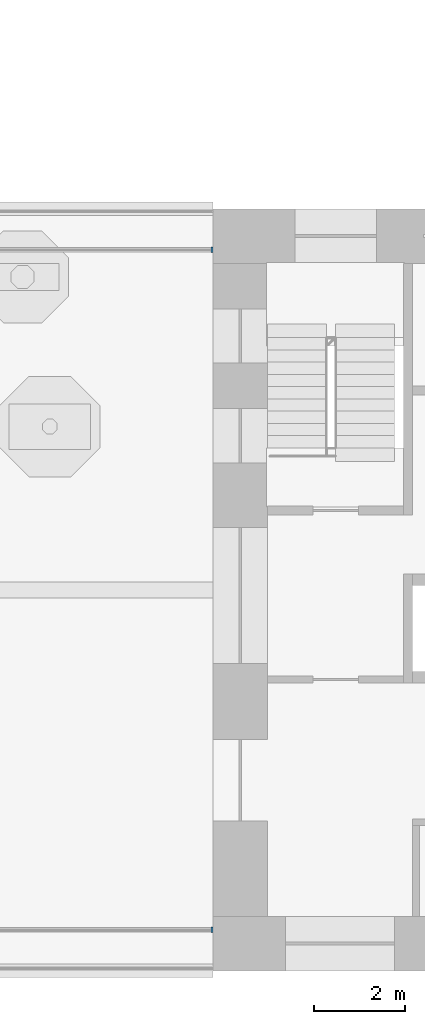
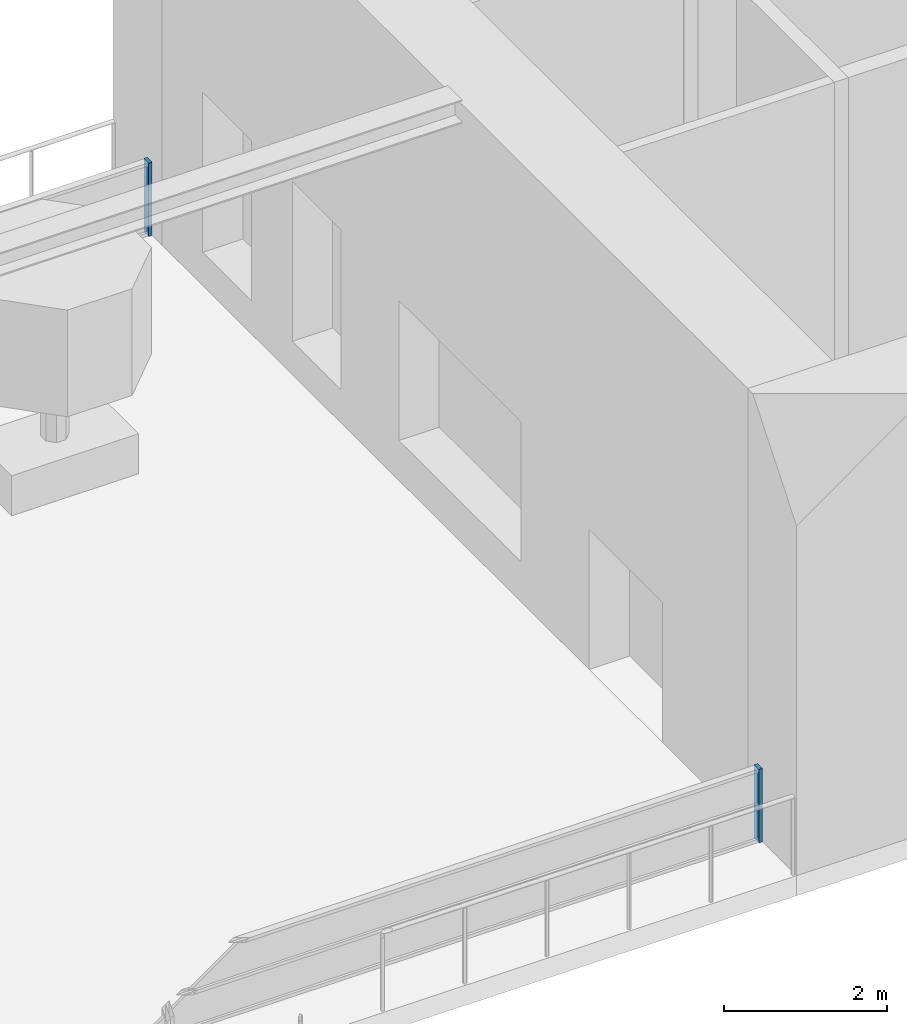
# One storey, part 5 of 15: 2 members, 2 elements without a shape of their own.
"""IFC4 building model written with IfcOpenShell, lengths in metres."""

from ifc_helpers import new_model, si_unit, direction, frame, origin, origin_2d, place, context, subcontext, project, spatial, rectangle, extrude, material, material_profile, profile_set, type_object, element, aggregate, save


model = new_model("IFC4")

# Units and contexts
model_context = context("Model", 3, precision=1e-05, world=origin(), true_north=direction((0.0, 1.0)))
body_context = subcontext(model_context, "Body", "Model", "MODEL_VIEW")
ifc_project = project(units=[si_unit("LENGTHUNIT", "METRE"), si_unit("AREAUNIT", "SQUARE_METRE"), si_unit("VOLUMEUNIT", "CUBIC_METRE"), si_unit("PLANEANGLEUNIT", "RADIAN"), si_unit("MASSUNIT", "GRAM", prefix="KILO")], contexts=[model_context])

# Site, building, storey
site_placement = place(None, origin())
site = spatial("IfcSite", under=ifc_project, at=site_placement, CompositionType="ELEMENT")
building_placement = place(site_placement, origin())
building = spatial("IfcBuilding", under=site, at=building_placement, Name="Vermilion Gate Residences", CompositionType="ELEMENT")
storey_placement = place(building_placement, frame((0.0, 0.0, 277.199951171875)))
storey = spatial("IfcBuildingStorey", under=building, at=storey_placement, Name="L73", CompositionType="ELEMENT", Elevation=277.199951171875)

# Curtain wall, member
ifc_material_1 = material(Name="Aluminium and glass", Category="aluminium")
curtain_wall_type = type_object("IfcCurtainWallType", Name="CROWN LOOKOUT GLASS CURTAIN WALL", PredefinedType="NOTDEFINED", material=ifc_material_1)
curtain_wall_1_placement = place(storey_placement, origin())
curtain_wall_1 = element("IfcCurtainWall", 1, at=curtain_wall_1_placement, inside=storey, type_object=curtain_wall_type, Name="Crown Lookout Glass 1", PredefinedType="NOTDEFINED")
ifc_material_2 = material(Name="Aluminium", Category="aluminium")
ifc_material_profile = material_profile(ifc_material_2, rectangle(XDim=0.1201171875, YDim=0.050048828125, at=origin_2d()), Name="MULLION 50 X 120")
ifc_profile_set = profile_set([ifc_material_profile], Name="Aluminium")
member_type = type_object("IfcMemberType", Name="CROWN LOOKOUT GLASS MULLION 50 X 120", PredefinedType="MULLION", material=ifc_profile_set)
member_1_placement = place(storey_placement, frame((41.97509765625, 9.300048828125, 0.0), z_axis=(0.0, 0.0, 1.0), x_axis=(0.0, 1.0, 0.0)))
member_1 = element("IfcMember", 2, at=member_1_placement, type_object=member_type, Name="ECW4 mullion 2", PredefinedType="MULLION", context=body_context, shape_type="SweptSolid", body=[
    extrude(rectangle(XDim=0.1201171875, YDim=0.050048828125, at=origin_2d()), origin(), (0.0, 0.0, 1.0), 1.10009765625),
])
aggregate(curtain_wall_1, [member_1])

curtain_wall_2_placement = place(storey_placement, origin())
curtain_wall_2 = element("IfcCurtainWall", 3, at=curtain_wall_2_placement, inside=storey, type_object=curtain_wall_type, Name="Crown Lookout Glass 2", PredefinedType="NOTDEFINED")
member_2_placement = place(storey_placement, frame((41.97509765625, 24.300048828125, 0.0), z_axis=(0.0, 0.0, 1.0), x_axis=(0.0, -1.0, 0.0)))
member_2 = element("IfcMember", 4, at=member_2_placement, type_object=member_type, Name="ECW4 mullion 1", PredefinedType="MULLION", context=body_context, shape_type="SweptSolid", body=[
    extrude(rectangle(XDim=0.1201171875, YDim=0.050048828125, at=origin_2d()), origin(), (0.0, 0.0, 1.0), 1.10009765625),
])
aggregate(curtain_wall_2, [member_2])

save(model, "model.ifc")
